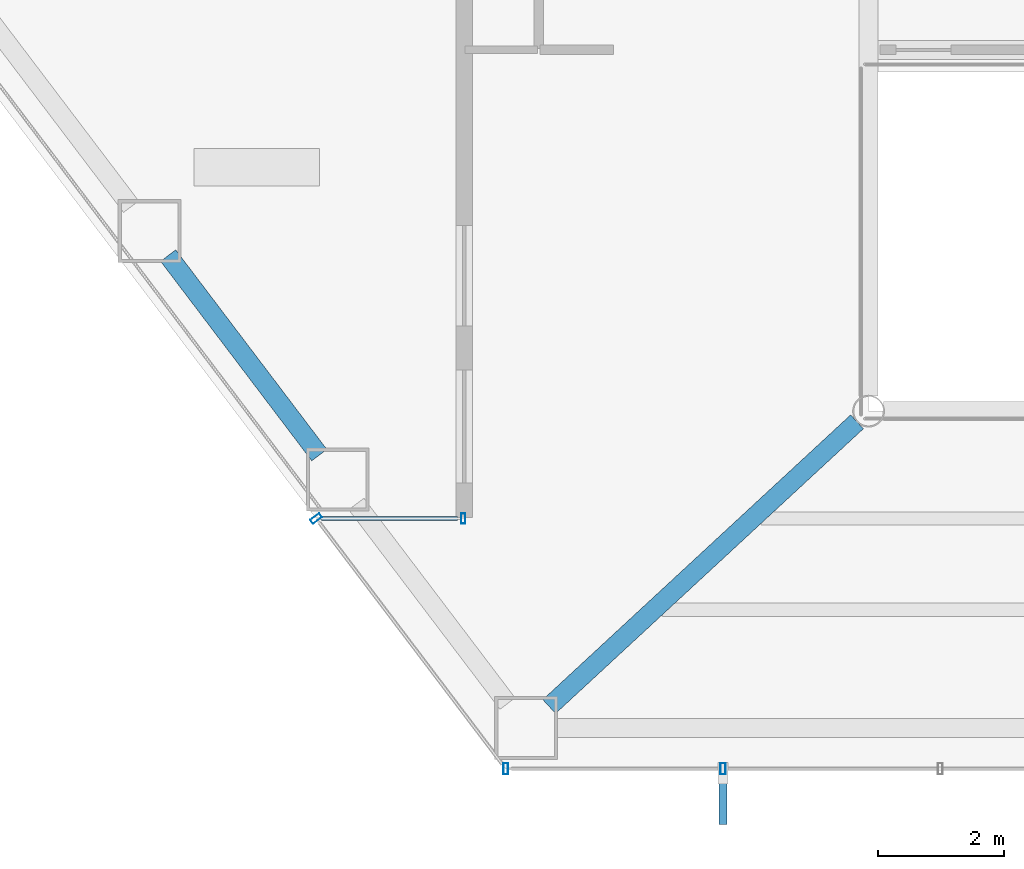
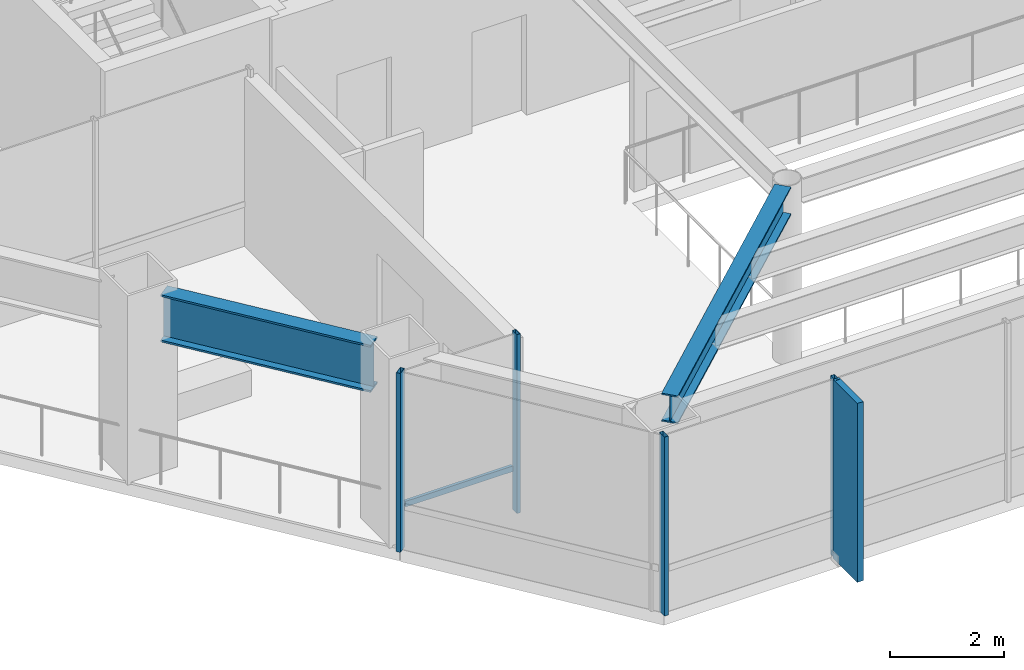
# One storey, part 2 of 24: 6 members, 2 beams, 3 elements without a shape of their own.
"""IFC4 building model written with IfcOpenShell, lengths in metres."""

from ifc_helpers import new_model, si_unit, direction, frame, origin, origin_2d, place, context, subcontext, project, spatial, rectangle, hollow_rectangle, i_section, extrude, material, layer, layer_set, material_profile, profile_set, type_object, element, aggregate, save


model = new_model("IFC4")

# Units and contexts
model_context = context("Model", 3, precision=1e-05, world=origin(), true_north=direction((0.0, 1.0)))
body_context = subcontext(model_context, "Body", "Model", "MODEL_VIEW")
ifc_project = project(units=[si_unit("LENGTHUNIT", "METRE"), si_unit("AREAUNIT", "SQUARE_METRE"), si_unit("VOLUMEUNIT", "CUBIC_METRE"), si_unit("PLANEANGLEUNIT", "RADIAN"), si_unit("MASSUNIT", "GRAM", prefix="KILO")], contexts=[model_context])

# Site, building, storey
site_placement = place(None, origin())
site = spatial("IfcSite", under=ifc_project, at=site_placement, CompositionType="ELEMENT")
building_placement = place(site_placement, origin())
building = spatial("IfcBuilding", under=site, at=building_placement, Name="Zarrinselat Tower", CompositionType="ELEMENT")
storey_placement = place(building_placement, frame((0.0, 0.0, 64.260009765625)))
storey = spatial("IfcBuildingStorey", under=building, at=storey_placement, Name="L15", CompositionType="ELEMENT", Elevation=64.260009765625)

# Beams
ifc_material_1 = material(Name="Steel S355J2", Category="steel")
ifc_material_profile_1 = material_profile(ifc_material_1, i_section(OverallWidth=0.300048828125, OverallDepth=0.60009765625, WebThickness=0.015380859375, FlangeThickness=0.030029296875, at=origin_2d()), Name="HEB 600")
ifc_profile_set_1 = profile_set([ifc_material_profile_1], Name="Steel S355J2")
beam_type_1 = type_object("IfcBeamType", Name="BM-HEB600", PredefinedType="BEAM", material=ifc_profile_set_1)
beam_1_placement = place(storey_placement, frame((28.71630859375, 19.697509765625, 3.52001953125), z_axis=(0.734093514164, 0.679048387423, 0.0), x_axis=(-0.679048387423, 0.734093514164, 0.0)))
element("IfcBeam", 1, at=beam_1_placement, inside=storey, type_object=beam_type_1, Name="L15 Radial Primary Girder RG10", PredefinedType="BEAM", context=body_context, shape_type="SweptSolid", body=[
    extrude(i_section(OverallWidth=0.300048828125, OverallDepth=0.60009765625, WebThickness=0.015380859375, FlangeThickness=0.030029296875, at=origin_2d()), origin(), (0.0, 0.0, 1.0), 6.675048828125),
])
ifc_material_2 = material(Name="Steel S460M", Category="steel")
ifc_material_profile_2 = material_profile(ifc_material_2, i_section(OverallWidth=0.302001953125, OverallDepth=1.008056640625, WebThickness=0.02099609375, FlangeThickness=0.0400390625, at=origin_2d()), Name="HEM 1000")
ifc_profile_set_2 = profile_set([ifc_material_profile_2], Name="Steel S460M")
beam_type_2 = type_object("IfcBeamType", Name="BM-HEM1000", PredefinedType="BEAM", material=ifc_profile_set_2)
beam_2_placement = place(storey_placement, frame((22.650634765625, 26.876708984375, 3.31591796875), z_axis=(0.603864764973, -0.797086786758, 0.0), x_axis=(0.797086786758, 0.603864764973, 0.0)))
element("IfcBeam", 2, at=beam_2_placement, inside=storey, type_object=beam_type_2, Name="L15 Perimeter Spandrel Girder SP08", PredefinedType="BEAM", context=body_context, shape_type="SweptSolid", body=[
    extrude(i_section(OverallWidth=0.302001953125, OverallDepth=1.008056640625, WebThickness=0.02099609375, FlangeThickness=0.0400390625, at=origin_2d()), origin(), (0.0, 0.0, 1.0), 3.985107421875),
])

# Curtain wall, members
ifc_material_3 = material(Name="Extruded Aluminium Alloy EN AW-6063 T6", Category="aluminium")
ifc_layer_1 = layer(ifc_material_3, 0.18505859375)
ifc_layer_set_1 = layer_set([ifc_layer_1], Name="Extruded Aluminium Alloy EN AW-6063 T6")
curtain_wall_type_1 = type_object("IfcCurtainWallType", Name="CWS-OFF", PredefinedType="NOTDEFINED", material=ifc_layer_set_1)
curtain_wall_1_placement = place(storey_placement, origin())
curtain_wall_1 = element("IfcCurtainWall", 3, at=curtain_wall_1_placement, inside=storey, type_object=curtain_wall_type_1, Name="L15 Unitised Curtain Wall CW-L15-E05", PredefinedType="NOTDEFINED")
ifc_material_4 = material(Name="Extruded Aluminium Alloy EN AW-6063 T6", Category="aluminium")
ifc_material_profile_3 = material_profile(ifc_material_4, hollow_rectangle(XDim=0.080078125, YDim=0.179931640625, WallThickness=0.0048828125, at=origin_2d()), Name="RHS 180x80x5")
ifc_profile_set_3 = profile_set([ifc_material_profile_3], Name="Extruded Aluminium Alloy EN AW-6063 T6")
member_type_1 = type_object("IfcMemberType", Name="MEM-CW-MUL", PredefinedType="MULLION", material=ifc_profile_set_3)
member_1_placement = place(storey_placement, frame((31.483154296875, 18.70654296875, 0.0), z_axis=(0.0, 0.0, 1.0), x_axis=(-1.0, 0.0, 0.0)))
member_1 = element("IfcMember", 4, at=member_1_placement, type_object=member_type_1, Name="CW-L15-E05 Mullion 5", PredefinedType="MULLION", context=body_context, shape_type="SweptSolid", body=[
    extrude(hollow_rectangle(XDim=0.080078125, YDim=0.179931640625, WallThickness=0.0048828125, at=origin_2d()), origin(), (0.0, 0.0, 1.0), 3.820068359375),
])
member_2_placement = place(storey_placement, frame((28.024658203125, 18.70654296875, 0.0), z_axis=(0.0, 0.0, 1.0), x_axis=(-1.0, 0.0, 0.0)))
member_2 = element("IfcMember", 5, at=member_2_placement, type_object=member_type_1, Name="CW-L15-E05 Mullion 6", PredefinedType="MULLION", context=body_context, shape_type="SweptSolid", body=[
    extrude(hollow_rectangle(XDim=0.080078125, YDim=0.179931640625, WallThickness=0.0048828125, at=origin_2d()), origin(), (0.0, 0.0, 1.0), 3.820068359375),
])

# Curtain wall, member
curtain_wall_2_placement = place(storey_placement, origin())
curtain_wall_2 = element("IfcCurtainWall", 6, at=curtain_wall_2_placement, inside=storey, type_object=curtain_wall_type_1, Name="L15 Unitised Curtain Wall CW-L15-E06", PredefinedType="NOTDEFINED")
member_3_placement = place(storey_placement, frame((25.005859375, 22.69140625, 0.0), z_axis=(0.0, 0.0, 1.0), x_axis=(-0.603858899441, 0.797091230391, 0.0)))
member_3 = element("IfcMember", 7, at=member_3_placement, type_object=member_type_1, Name="CW-L15-E06 Mullion 1", PredefinedType="MULLION", context=body_context, shape_type="SweptSolid", body=[
    extrude(hollow_rectangle(XDim=0.080078125, YDim=0.179931640625, WallThickness=0.0048828125, at=origin_2d()), origin(), (0.0, 0.0, 1.0), 3.820068359375),
])
aggregate(curtain_wall_2, [member_3])

# Curtain wall, members
ifc_material_5 = material(Name="Extruded Aluminium Alloy EN AW-6063 T6", Category="aluminium")
ifc_layer_2 = layer(ifc_material_5, 0.18994140625)
ifc_layer_set_2 = layer_set([ifc_layer_2], Name="Extruded Aluminium Alloy EN AW-6063 T6")
curtain_wall_type_2 = type_object("IfcCurtainWallType", Name="CWS-SG", PredefinedType="NOTDEFINED", material=ifc_layer_set_2)
curtain_wall_3_placement = place(storey_placement, origin())
curtain_wall_3 = element("IfcCurtainWall", 8, at=curtain_wall_3_placement, inside=storey, type_object=curtain_wall_type_2, Name="L15 Unitised Curtain Wall CW-L15-E07", PredefinedType="NOTDEFINED")
ifc_material_6 = material(Name="Extruded Aluminium Alloy EN AW-6063 T6", Category="aluminium")
ifc_material_profile_4 = material_profile(ifc_material_6, hollow_rectangle(XDim=0.070068359375, YDim=0.159912109375, WallThickness=0.00390625, at=origin_2d()), Name="RHS 160x70x4")
ifc_profile_set_4 = profile_set([ifc_material_profile_4], Name="Extruded Aluminium Alloy EN AW-6063 T6")
member_type_2 = type_object("IfcMemberType", Name="MEM-CW-MUL2", PredefinedType="MULLION", material=ifc_profile_set_4)
member_4_placement = place(storey_placement, frame((27.3486328125, 22.69140625, 0.0), z_axis=(0.0, 0.0, 1.0), x_axis=(1.0, 0.0, 0.0)))
member_4 = element("IfcMember", 9, at=member_4_placement, type_object=member_type_2, Name="CW-L15-E07 Mullion 1", PredefinedType="MULLION", context=body_context, shape_type="SweptSolid", body=[
    extrude(hollow_rectangle(XDim=0.070068359375, YDim=0.159912109375, WallThickness=0.00390625, at=origin_2d()), origin(), (0.0, 0.0, 1.0), 3.820068359375),
])
ifc_material_7 = material(Name="Extruded Aluminium Alloy EN AW-6063 T6", Category="aluminium")
ifc_material_profile_5 = material_profile(ifc_material_7, hollow_rectangle(XDim=0.06005859375, YDim=0.1201171875, WallThickness=0.00390625, at=origin_2d()), Name="RHS 120x60x4")
ifc_profile_set_5 = profile_set([ifc_material_profile_5], Name="Extruded Aluminium Alloy EN AW-6063 T6")
member_type_3 = type_object("IfcMemberType", Name="MEM-CW-TRN2", PredefinedType="USERDEFINED", material=ifc_profile_set_5)
member_5_placement = place(storey_placement, frame((25.095703125, 22.69140625, 0.949951171875), z_axis=(1.0, 0.0, 0.0), x_axis=(0.0, 1.0, 0.0)))
member_5 = element("IfcMember", 10, at=member_5_placement, type_object=member_type_3, Name="CW-L15-E07 Transom 1", ObjectType="TRANSOM", PredefinedType="USERDEFINED", context=body_context, shape_type="SweptSolid", body=[
    extrude(hollow_rectangle(XDim=0.06005859375, YDim=0.1201171875, WallThickness=0.00390625, at=origin_2d()), origin(), (0.0, 0.0, 1.0), 2.162841796875),
])
aggregate(curtain_wall_3, [member_4, member_5])

# Member
ifc_material_8 = material(Name="Honed Cream Travertine Stone", Category="masonry")
ifc_material_profile_6 = material_profile(ifc_material_8, rectangle(XDim=0.1201171875, YDim=0.85009765625, at=origin_2d()), Name="FIN 850x120")
ifc_profile_set_6 = profile_set([ifc_material_profile_6], Name="Honed Cream Travertine Stone")
member_type_4 = type_object("IfcMemberType", Name="MEM-STONE-FIN", PredefinedType="USERDEFINED", material=ifc_profile_set_6)
member_6_placement = place(storey_placement, frame((31.483154296875, 18.24658203125, 0.0), z_axis=(0.0, 0.0, 1.0), x_axis=(-1.0, 0.0, 0.0)))
member_6 = element("IfcMember", 11, at=member_6_placement, type_object=member_type_4, Name="L15 Stone Shading Fin CW-L15-E05-05", ObjectType="FIN", PredefinedType="USERDEFINED", context=body_context, shape_type="SweptSolid", body=[
    extrude(rectangle(XDim=0.1201171875, YDim=0.85009765625, at=origin_2d()), origin(), (0.0, 0.0, 1.0), 3.820068359375),
])

aggregate(curtain_wall_1, [member_1, member_6, member_2])

save(model, "model.ifc")
